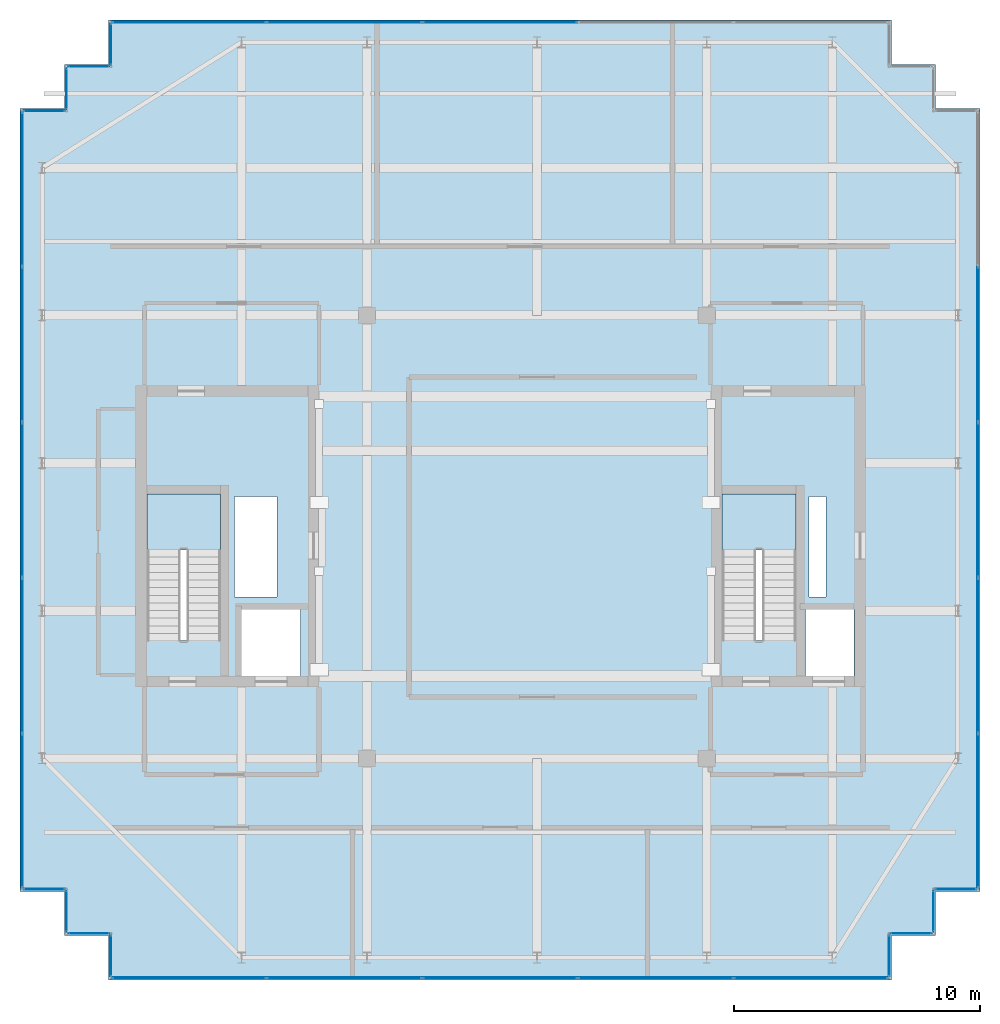
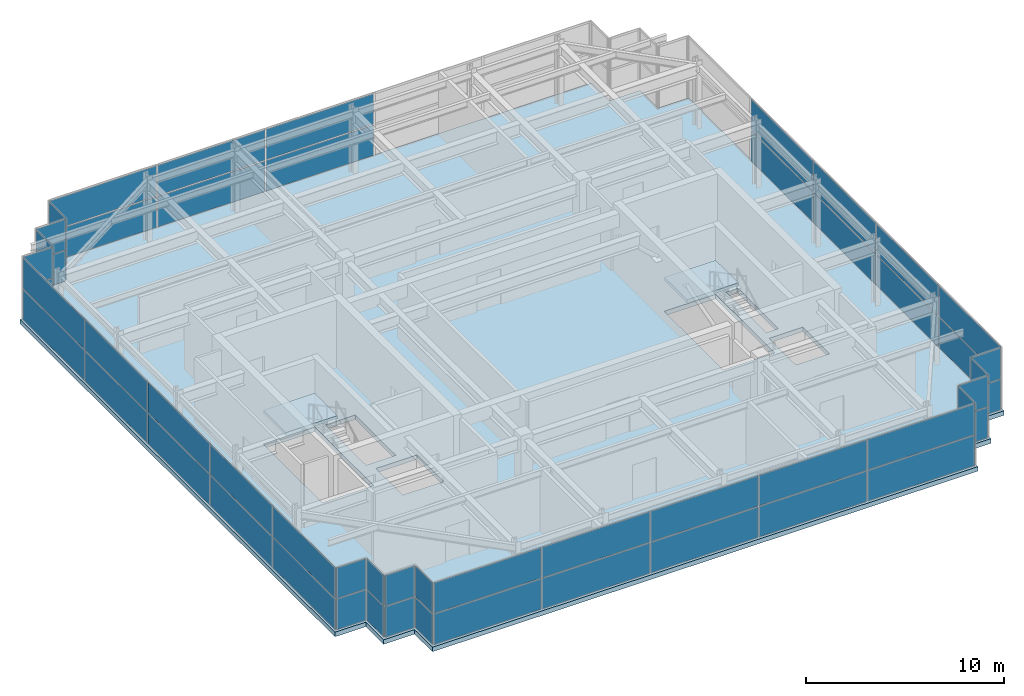
# One storey, part 29 of 32: 58 plates, 3 slabs, 18 elements without a shape of their own.
"""IFC4 building model written with IfcOpenShell, lengths in metres."""

from ifc_helpers import new_model, si_unit, direction, frame, origin, origin_2d, place, context, subcontext, project, spatial, polyline, rectangle, outline, extrude, source, transform, mapped, material, layer, layer_set, type_object, element, aggregate, save


model = new_model("IFC4")

# Units and contexts
model_context = context("Model", 3, precision=1e-05, world=origin(), true_north=direction((0.0, 1.0)))
body_context = subcontext(model_context, "Body", "Model", "MODEL_VIEW")
ifc_project = project(units=[si_unit("LENGTHUNIT", "METRE"), si_unit("AREAUNIT", "SQUARE_METRE"), si_unit("VOLUMEUNIT", "CUBIC_METRE"), si_unit("PLANEANGLEUNIT", "RADIAN"), si_unit("MASSUNIT", "GRAM", prefix="KILO")], contexts=[model_context])

# Site, building, storey
site_placement = place(None, origin())
site = spatial("IfcSite", under=ifc_project, at=site_placement, CompositionType="ELEMENT")
building_placement = place(site_placement, origin())
building = spatial("IfcBuilding", under=site, at=building_placement, Name="Khoralis Quay Care Tower", CompositionType="ELEMENT")
storey_placement = place(building_placement, frame((0.0, 0.0, 306.300048828125)))
storey = spatial("IfcBuildingStorey", under=building, at=storey_placement, Name="L80", CompositionType="ELEMENT", Elevation=306.300048828125)

# Stair, slab
ifc_material_1 = material(Name="Precast concrete C45/55", Category="concrete")
stair_type = type_object("IfcStairType", Name="ST-TWR-DOGLEG-1400", PredefinedType="HALF_TURN_STAIR", material=ifc_material_1)
stair_1_placement = place(storey_placement, origin())
stair_1 = element("IfcStair", 1, at=stair_1_placement, inside=storey, type_object=stair_type, Name="L80 West Core Exit Stair ST-T1", PredefinedType="HALF_TURN_STAIR")
ifc_layer_1 = layer(ifc_material_1, 0.199951171875)
ifc_layer_set_1 = layer_set([ifc_layer_1], Name="Precast concrete C45/55")
slab_type_1 = type_object("IfcSlabType", Name="SLB-LANDING-200", PredefinedType="LANDING", material=ifc_layer_set_1)
slab_1_placement = place(storey_placement, frame((0.0, 0.0, 1.89990234375)))
slab_1 = element("IfcSlab", 2, at=slab_1_placement, type_object=slab_type_1, Name="ST-T1 landing 1", PredefinedType="LANDING", context=body_context, shape_type="SweptSolid", body=[
    extrude(outline(polyline([(11.14990234375, 20.4599609375), (11.14990234375, 22.75), (8.14990234375, 22.75), (8.14990234375, 20.4599609375), (11.14990234375, 20.4599609375)])), origin(), (0.0, 0.0, 1.0), 0.199951171875),
])
aggregate(stair_1, [slab_1])

stair_2_placement = place(storey_placement, origin())
stair_2 = element("IfcStair", 3, at=stair_2_placement, inside=storey, type_object=stair_type, Name="L80 East Core Exit Stair ST-T2", PredefinedType="HALF_TURN_STAIR")
slab_2_placement = place(storey_placement, frame((0.0, 0.0, 1.89990234375)))
slab_2 = element("IfcSlab", 4, at=slab_2_placement, type_object=slab_type_1, Name="ST-T2 landing 1", PredefinedType="LANDING", context=body_context, shape_type="SweptSolid", body=[
    extrude(outline(polyline([(34.52001953125, 20.4599609375), (34.52001953125, 22.75), (31.52001953125, 22.75), (31.52001953125, 20.4599609375), (34.52001953125, 20.4599609375)])), origin(), (0.0, 0.0, 1.0), 0.199951171875),
])
aggregate(stair_2, [slab_2])

# Slab
ifc_material_2 = material(Name="Concrete C40/50", Category="concrete")
ifc_layer_2 = layer(ifc_material_2, 0.280029296875)
ifc_layer_set_2 = layer_set([ifc_layer_2], Name="Concrete C40/50")
slab_type_2 = type_object("IfcSlabType", Name="SLB-TWR-280", PredefinedType="FLOOR", material=ifc_layer_set_2)
slab_3_placement = place(storey_placement, frame((0.0, 0.0, -0.280029296875)))
element("IfcSlab", 5, at=slab_3_placement, inside=storey, type_object=slab_type_2, Name="Tower Floor Slab L80", PredefinedType="FLOOR", context=body_context, shape_type="SweptSolid", body=[
    extrude(outline(polyline([(6.60009765625, 3.0), (38.39990234375, 3.0), (38.39990234375, 4.800048828125), (40.199951171875, 4.800048828125), (40.199951171875, 6.60009765625), (42.0, 6.60009765625), (42.0, 38.39990234375), (40.199951171875, 38.39990234375), (40.199951171875, 40.199951171875), (38.39990234375, 40.199951171875), (38.39990234375, 42.0), (6.60009765625, 42.0), (6.60009765625, 40.199951171875), (4.800048828125, 40.199951171875), (4.800048828125, 38.39990234375), (3.0, 38.39990234375), (3.0, 6.60009765625), (4.800048828125, 6.60009765625), (4.800048828125, 4.800048828125), (6.60009765625, 4.800048828125), (6.60009765625, 3.0)]), holes=[polyline([(11.14990234375, 16.800048828125), (11.14990234375, 22.75), (8.14990234375, 22.75), (8.14990234375, 16.800048828125), (11.14990234375, 16.800048828125)]), polyline([(34.52001953125, 16.800048828125), (34.52001953125, 22.75), (31.52001953125, 22.75), (31.52001953125, 16.800048828125), (34.52001953125, 16.800048828125)]), polyline([(12.0, 15.35009765625), (14.39990234375, 15.35009765625), (14.39990234375, 18.050048828125), (12.0, 18.050048828125), (12.0, 15.35009765625)]), polyline([(34.919921875, 15.35009765625), (36.8798828125, 15.35009765625), (36.8798828125, 18.050048828125), (34.919921875, 18.050048828125), (34.919921875, 15.35009765625)]), polyline([(11.719970703125, 18.550048828125), (13.449951171875, 18.550048828125), (13.449951171875, 22.64990234375), (11.719970703125, 22.64990234375), (11.719970703125, 18.550048828125)]), polyline([(35.050048828125, 18.550048828125), (35.75, 18.550048828125), (35.75, 22.64990234375), (35.050048828125, 22.64990234375), (35.050048828125, 18.550048828125)])]), origin(), (0.0, 0.0, 1.0), 0.280029296875),
])

# Curtain wall, plates
ifc_material_3 = material(Name="Pale anodised aluminium", Category="aluminium")
ifc_layer_3 = layer(ifc_material_3, 0.199951171875)
ifc_layer_set_3 = layer_set([ifc_layer_3], Name="Pale anodised aluminium")
curtain_wall_type = type_object("IfcCurtainWallType", Name="CW-SYS-LANTERN", PredefinedType="NOTDEFINED", material=ifc_layer_set_3)
curtain_wall_1_placement = place(storey_placement, origin())
curtain_wall_1 = element("IfcCurtainWall", 6, at=curtain_wall_1_placement, inside=storey, type_object=curtain_wall_type, Name="L80 Unitised Curtain Wall CW-LN-L80-01", PredefinedType="NOTDEFINED")
ifc_material_4 = material(Name="Spandrel insulated shadow-box glass", Category="glass")
ifc_layer_4 = layer(ifc_material_4, 0.0439453125)
ifc_layer_set_4 = layer_set([ifc_layer_4], Name="Spandrel insulated shadow-box glass")
plate_type = type_object("IfcPlateType", Name="PNL-SPN-44", PredefinedType="CURTAIN_PANEL", material=ifc_layer_set_4)
shared_shape_1 = source(origin(), body_context, "Body", "SweptSolid", [
    extrude(rectangle(XDim=6.23388671875, YDim=0.028076171875, at=origin_2d()), origin(), (0.0, 0.0, 1.0), 1.8701171875),
])
plate_1_placement = place(storey_placement, frame((9.866943359375, 3.090087890625, 0.059814453125), z_axis=(0.0, 0.0, 1.0), x_axis=(1.0, 0.0, 0.0)))
plate_1 = element("IfcPlate", 7, at=plate_1_placement, type_object=plate_type, Name="CW5 panel 1.1", PredefinedType="CURTAIN_PANEL", context=body_context, shape_type="MappedRepresentation", body=[
    mapped(shared_shape_1, transform((0.0, 0.0, 0.0), scale=1.0)),
])
plate_2_placement = place(storey_placement, frame((9.866943359375, 3.090087890625, 1.989990234375), z_axis=(0.0, 0.0, 1.0), x_axis=(1.0, 0.0, 0.0)))
plate_2 = element("IfcPlate", 8, at=plate_2_placement, type_object=plate_type, Name="CW5 panel 1.2", PredefinedType="CURTAIN_PANEL", context=body_context, shape_type="MappedRepresentation", body=[
    mapped(shared_shape_1, transform((0.0, 0.0, 0.0), scale=1.0)),
])
plate_3_placement = place(storey_placement, frame((35.133056640625, 3.090087890625, 0.059814453125), z_axis=(0.0, 0.0, 1.0), x_axis=(1.0, 0.0, 0.0)))
plate_3 = element("IfcPlate", 9, at=plate_3_placement, type_object=plate_type, Name="CW5 panel 5.1", PredefinedType="CURTAIN_PANEL", context=body_context, shape_type="MappedRepresentation", body=[
    mapped(shared_shape_1, transform((0.0, 0.0, 0.0), scale=1.0)),
])
plate_4_placement = place(storey_placement, frame((35.133056640625, 3.090087890625, 1.989990234375), z_axis=(0.0, 0.0, 1.0), x_axis=(1.0, 0.0, 0.0)))
plate_4 = element("IfcPlate", 10, at=plate_4_placement, type_object=plate_type, Name="CW5 panel 5.2", PredefinedType="CURTAIN_PANEL", context=body_context, shape_type="MappedRepresentation", body=[
    mapped(shared_shape_1, transform((0.0, 0.0, 0.0), scale=1.0)),
])

curtain_wall_2_placement = place(storey_placement, origin())
curtain_wall_2 = element("IfcCurtainWall", 11, at=curtain_wall_2_placement, inside=storey, type_object=curtain_wall_type, Name="L80 Unitised Curtain Wall CW-LN-L80-06", PredefinedType="NOTDEFINED")
plate_5_placement = place(storey_placement, frame((41.909912109375, 9.866943359375, 0.059814453125), z_axis=(0.0, 0.0, 1.0), x_axis=(0.0, 1.0, 0.0)))
plate_5 = element("IfcPlate", 12, at=plate_5_placement, type_object=plate_type, Name="CW5 panel 1.1", PredefinedType="CURTAIN_PANEL", context=body_context, shape_type="MappedRepresentation", body=[
    mapped(shared_shape_1, transform((0.0, 0.0, 0.0), scale=1.0)),
])
plate_6_placement = place(storey_placement, frame((41.909912109375, 9.866943359375, 1.989990234375), z_axis=(0.0, 0.0, 1.0), x_axis=(0.0, 1.0, 0.0)))
plate_6 = element("IfcPlate", 13, at=plate_6_placement, type_object=plate_type, Name="CW5 panel 1.2", PredefinedType="CURTAIN_PANEL", context=body_context, shape_type="MappedRepresentation", body=[
    mapped(shared_shape_1, transform((0.0, 0.0, 0.0), scale=1.0)),
])

curtain_wall_3_placement = place(storey_placement, origin())
curtain_wall_3 = element("IfcCurtainWall", 14, at=curtain_wall_3_placement, inside=storey, type_object=curtain_wall_type, Name="L80 Unitised Curtain Wall CW-LN-L80-11", PredefinedType="NOTDEFINED")
plate_7_placement = place(storey_placement, frame((9.866943359375, 41.909912109375, 0.059814453125), z_axis=(0.0, 0.0, 1.0), x_axis=(-1.0, 0.0, 0.0)))
plate_7 = element("IfcPlate", 15, at=plate_7_placement, type_object=plate_type, Name="CW5 panel 5.1", PredefinedType="CURTAIN_PANEL", context=body_context, shape_type="MappedRepresentation", body=[
    mapped(shared_shape_1, transform((0.0, 0.0, 0.0), scale=1.0)),
])
plate_8_placement = place(storey_placement, frame((9.866943359375, 41.909912109375, 1.989990234375), z_axis=(0.0, 0.0, 1.0), x_axis=(-1.0, 0.0, 0.0)))
plate_8 = element("IfcPlate", 16, at=plate_8_placement, type_object=plate_type, Name="CW5 panel 5.2", PredefinedType="CURTAIN_PANEL", context=body_context, shape_type="MappedRepresentation", body=[
    mapped(shared_shape_1, transform((0.0, 0.0, 0.0), scale=1.0)),
])

curtain_wall_4_placement = place(storey_placement, origin())
curtain_wall_4 = element("IfcCurtainWall", 17, at=curtain_wall_4_placement, inside=storey, type_object=curtain_wall_type, Name="L80 Unitised Curtain Wall CW-LN-L80-16", PredefinedType="NOTDEFINED")
plate_9_placement = place(storey_placement, frame((3.090087890625, 35.133056640625, 0.059814453125), z_axis=(0.0, 0.0, 1.0), x_axis=(0.0, -1.0, 0.0)))
plate_9 = element("IfcPlate", 18, at=plate_9_placement, type_object=plate_type, Name="CW5 panel 1.1", PredefinedType="CURTAIN_PANEL", context=body_context, shape_type="MappedRepresentation", body=[
    mapped(shared_shape_1, transform((0.0, 0.0, 0.0), scale=1.0)),
])
plate_10_placement = place(storey_placement, frame((3.090087890625, 35.133056640625, 1.989990234375), z_axis=(0.0, 0.0, 1.0), x_axis=(0.0, -1.0, 0.0)))
plate_10 = element("IfcPlate", 19, at=plate_10_placement, type_object=plate_type, Name="CW5 panel 1.2", PredefinedType="CURTAIN_PANEL", context=body_context, shape_type="MappedRepresentation", body=[
    mapped(shared_shape_1, transform((0.0, 0.0, 0.0), scale=1.0)),
])
plate_11_placement = place(storey_placement, frame((3.090087890625, 9.866943359375, 0.059814453125), z_axis=(0.0, 0.0, 1.0), x_axis=(0.0, -1.0, 0.0)))
plate_11 = element("IfcPlate", 20, at=plate_11_placement, type_object=plate_type, Name="CW5 panel 5.1", PredefinedType="CURTAIN_PANEL", context=body_context, shape_type="MappedRepresentation", body=[
    mapped(shared_shape_1, transform((0.0, 0.0, 0.0), scale=1.0)),
])
plate_12_placement = place(storey_placement, frame((3.090087890625, 9.866943359375, 1.989990234375), z_axis=(0.0, 0.0, 1.0), x_axis=(0.0, -1.0, 0.0)))
plate_12 = element("IfcPlate", 21, at=plate_12_placement, type_object=plate_type, Name="CW5 panel 5.2", PredefinedType="CURTAIN_PANEL", context=body_context, shape_type="MappedRepresentation", body=[
    mapped(shared_shape_1, transform((0.0, 0.0, 0.0), scale=1.0)),
])

# Plate
shared_shape_2 = source(origin(), body_context, "Body", "SweptSolid", [
    extrude(rectangle(XDim=6.263916015625, YDim=0.028076171875, at=origin_2d()), origin(), (0.0, 0.0, 1.0), 1.8701171875),
])
plate_13_placement = place(storey_placement, frame((16.176025390625, 3.090087890625, 0.059814453125), z_axis=(0.0, 0.0, 1.0), x_axis=(1.0, 0.0, 0.0)))
plate_13 = element("IfcPlate", 22, at=plate_13_placement, type_object=plate_type, Name="CW5 panel 2.1", PredefinedType="CURTAIN_PANEL", context=body_context, shape_type="MappedRepresentation", body=[
    mapped(shared_shape_2, transform((0.0, 0.0, 0.0), scale=1.0)),
])

plate_14_placement = place(storey_placement, frame((16.176025390625, 3.090087890625, 1.989990234375), z_axis=(0.0, 0.0, 1.0), x_axis=(1.0, 0.0, 0.0)))
plate_14 = element("IfcPlate", 23, at=plate_14_placement, type_object=plate_type, Name="CW5 panel 2.2", PredefinedType="CURTAIN_PANEL", context=body_context, shape_type="MappedRepresentation", body=[
    mapped(shared_shape_2, transform((0.0, 0.0, 0.0), scale=1.0)),
])

plate_15_placement = place(storey_placement, frame((22.5, 3.090087890625, 0.059814453125), z_axis=(0.0, 0.0, 1.0), x_axis=(1.0, 0.0, 0.0)))
plate_15 = element("IfcPlate", 24, at=plate_15_placement, type_object=plate_type, Name="CW5 panel 3.1", PredefinedType="CURTAIN_PANEL", context=body_context, shape_type="MappedRepresentation", body=[
    mapped(shared_shape_2, transform((0.0, 0.0, 0.0), scale=1.0)),
])

plate_16_placement = place(storey_placement, frame((22.5, 3.090087890625, 1.989990234375), z_axis=(0.0, 0.0, 1.0), x_axis=(1.0, 0.0, 0.0)))
plate_16 = element("IfcPlate", 25, at=plate_16_placement, type_object=plate_type, Name="CW5 panel 3.2", PredefinedType="CURTAIN_PANEL", context=body_context, shape_type="MappedRepresentation", body=[
    mapped(shared_shape_2, transform((0.0, 0.0, 0.0), scale=1.0)),
])

plate_17_placement = place(storey_placement, frame((28.823974609375, 3.090087890625, 0.059814453125), z_axis=(0.0, 0.0, 1.0), x_axis=(1.0, 0.0, 0.0)))
plate_17 = element("IfcPlate", 26, at=plate_17_placement, type_object=plate_type, Name="CW5 panel 4.1", PredefinedType="CURTAIN_PANEL", context=body_context, shape_type="MappedRepresentation", body=[
    mapped(shared_shape_2, transform((0.0, 0.0, 0.0), scale=1.0)),
])

plate_18_placement = place(storey_placement, frame((28.823974609375, 3.090087890625, 1.989990234375), z_axis=(0.0, 0.0, 1.0), x_axis=(1.0, 0.0, 0.0)))
plate_18 = element("IfcPlate", 27, at=plate_18_placement, type_object=plate_type, Name="CW5 panel 4.2", PredefinedType="CURTAIN_PANEL", context=body_context, shape_type="MappedRepresentation", body=[
    mapped(shared_shape_2, transform((0.0, 0.0, 0.0), scale=1.0)),
])

aggregate(curtain_wall_1, [plate_1, plate_2, plate_13, plate_14, plate_15, plate_16, plate_17, plate_18, plate_3, plate_4])

plate_19_placement = place(storey_placement, frame((41.909912109375, 16.176025390625, 0.059814453125), z_axis=(0.0, 0.0, 1.0), x_axis=(0.0, 1.0, 0.0)))
plate_19 = element("IfcPlate", 28, at=plate_19_placement, type_object=plate_type, Name="CW5 panel 2.1", PredefinedType="CURTAIN_PANEL", context=body_context, shape_type="MappedRepresentation", body=[
    mapped(shared_shape_2, transform((0.0, 0.0, 0.0), scale=1.0)),
])

plate_20_placement = place(storey_placement, frame((41.909912109375, 16.176025390625, 1.989990234375), z_axis=(0.0, 0.0, 1.0), x_axis=(0.0, 1.0, 0.0)))
plate_20 = element("IfcPlate", 29, at=plate_20_placement, type_object=plate_type, Name="CW5 panel 2.2", PredefinedType="CURTAIN_PANEL", context=body_context, shape_type="MappedRepresentation", body=[
    mapped(shared_shape_2, transform((0.0, 0.0, 0.0), scale=1.0)),
])

plate_21_placement = place(storey_placement, frame((41.909912109375, 22.5, 0.059814453125), z_axis=(0.0, 0.0, 1.0), x_axis=(0.0, 1.0, 0.0)))
plate_21 = element("IfcPlate", 30, at=plate_21_placement, type_object=plate_type, Name="CW5 panel 3.1", PredefinedType="CURTAIN_PANEL", context=body_context, shape_type="MappedRepresentation", body=[
    mapped(shared_shape_2, transform((0.0, 0.0, 0.0), scale=1.0)),
])

plate_22_placement = place(storey_placement, frame((41.909912109375, 22.5, 1.989990234375), z_axis=(0.0, 0.0, 1.0), x_axis=(0.0, 1.0, 0.0)))
plate_22 = element("IfcPlate", 31, at=plate_22_placement, type_object=plate_type, Name="CW5 panel 3.2", PredefinedType="CURTAIN_PANEL", context=body_context, shape_type="MappedRepresentation", body=[
    mapped(shared_shape_2, transform((0.0, 0.0, 0.0), scale=1.0)),
])

plate_23_placement = place(storey_placement, frame((41.909912109375, 28.823974609375, 0.059814453125), z_axis=(0.0, 0.0, 1.0), x_axis=(0.0, 1.0, 0.0)))
plate_23 = element("IfcPlate", 32, at=plate_23_placement, type_object=plate_type, Name="CW5 panel 4.1", PredefinedType="CURTAIN_PANEL", context=body_context, shape_type="MappedRepresentation", body=[
    mapped(shared_shape_2, transform((0.0, 0.0, 0.0), scale=1.0)),
])

plate_24_placement = place(storey_placement, frame((41.909912109375, 28.823974609375, 1.989990234375), z_axis=(0.0, 0.0, 1.0), x_axis=(0.0, 1.0, 0.0)))
plate_24 = element("IfcPlate", 33, at=plate_24_placement, type_object=plate_type, Name="CW5 panel 4.2", PredefinedType="CURTAIN_PANEL", context=body_context, shape_type="MappedRepresentation", body=[
    mapped(shared_shape_2, transform((0.0, 0.0, 0.0), scale=1.0)),
])

aggregate(curtain_wall_2, [plate_5, plate_6, plate_19, plate_20, plate_21, plate_22, plate_23, plate_24])

plate_25_placement = place(storey_placement, frame((22.5, 41.909912109375, 0.059814453125), z_axis=(0.0, 0.0, 1.0), x_axis=(-1.0, 0.0, 0.0)))
plate_25 = element("IfcPlate", 34, at=plate_25_placement, type_object=plate_type, Name="CW5 panel 3.1", PredefinedType="CURTAIN_PANEL", context=body_context, shape_type="MappedRepresentation", body=[
    mapped(shared_shape_2, transform((0.0, 0.0, 0.0), scale=1.0)),
])

plate_26_placement = place(storey_placement, frame((22.5, 41.909912109375, 1.989990234375), z_axis=(0.0, 0.0, 1.0), x_axis=(-1.0, 0.0, 0.0)))
plate_26 = element("IfcPlate", 35, at=plate_26_placement, type_object=plate_type, Name="CW5 panel 3.2", PredefinedType="CURTAIN_PANEL", context=body_context, shape_type="MappedRepresentation", body=[
    mapped(shared_shape_2, transform((0.0, 0.0, 0.0), scale=1.0)),
])

plate_27_placement = place(storey_placement, frame((16.176025390625, 41.909912109375, 0.059814453125), z_axis=(0.0, 0.0, 1.0), x_axis=(-1.0, 0.0, 0.0)))
plate_27 = element("IfcPlate", 36, at=plate_27_placement, type_object=plate_type, Name="CW5 panel 4.1", PredefinedType="CURTAIN_PANEL", context=body_context, shape_type="MappedRepresentation", body=[
    mapped(shared_shape_2, transform((0.0, 0.0, 0.0), scale=1.0)),
])

plate_28_placement = place(storey_placement, frame((16.176025390625, 41.909912109375, 1.989990234375), z_axis=(0.0, 0.0, 1.0), x_axis=(-1.0, 0.0, 0.0)))
plate_28 = element("IfcPlate", 37, at=plate_28_placement, type_object=plate_type, Name="CW5 panel 4.2", PredefinedType="CURTAIN_PANEL", context=body_context, shape_type="MappedRepresentation", body=[
    mapped(shared_shape_2, transform((0.0, 0.0, 0.0), scale=1.0)),
])

aggregate(curtain_wall_3, [plate_25, plate_26, plate_27, plate_28, plate_7, plate_8])

plate_29_placement = place(storey_placement, frame((3.090087890625, 28.823974609375, 0.059814453125), z_axis=(0.0, 0.0, 1.0), x_axis=(0.0, -1.0, 0.0)))
plate_29 = element("IfcPlate", 38, at=plate_29_placement, type_object=plate_type, Name="CW5 panel 2.1", PredefinedType="CURTAIN_PANEL", context=body_context, shape_type="MappedRepresentation", body=[
    mapped(shared_shape_2, transform((0.0, 0.0, 0.0), scale=1.0)),
])

plate_30_placement = place(storey_placement, frame((3.090087890625, 28.823974609375, 1.989990234375), z_axis=(0.0, 0.0, 1.0), x_axis=(0.0, -1.0, 0.0)))
plate_30 = element("IfcPlate", 39, at=plate_30_placement, type_object=plate_type, Name="CW5 panel 2.2", PredefinedType="CURTAIN_PANEL", context=body_context, shape_type="MappedRepresentation", body=[
    mapped(shared_shape_2, transform((0.0, 0.0, 0.0), scale=1.0)),
])

plate_31_placement = place(storey_placement, frame((3.090087890625, 22.5, 0.059814453125), z_axis=(0.0, 0.0, 1.0), x_axis=(0.0, -1.0, 0.0)))
plate_31 = element("IfcPlate", 40, at=plate_31_placement, type_object=plate_type, Name="CW5 panel 3.1", PredefinedType="CURTAIN_PANEL", context=body_context, shape_type="MappedRepresentation", body=[
    mapped(shared_shape_2, transform((0.0, 0.0, 0.0), scale=1.0)),
])

plate_32_placement = place(storey_placement, frame((3.090087890625, 22.5, 1.989990234375), z_axis=(0.0, 0.0, 1.0), x_axis=(0.0, -1.0, 0.0)))
plate_32 = element("IfcPlate", 41, at=plate_32_placement, type_object=plate_type, Name="CW5 panel 3.2", PredefinedType="CURTAIN_PANEL", context=body_context, shape_type="MappedRepresentation", body=[
    mapped(shared_shape_2, transform((0.0, 0.0, 0.0), scale=1.0)),
])

plate_33_placement = place(storey_placement, frame((3.090087890625, 16.176025390625, 0.059814453125), z_axis=(0.0, 0.0, 1.0), x_axis=(0.0, -1.0, 0.0)))
plate_33 = element("IfcPlate", 42, at=plate_33_placement, type_object=plate_type, Name="CW5 panel 4.1", PredefinedType="CURTAIN_PANEL", context=body_context, shape_type="MappedRepresentation", body=[
    mapped(shared_shape_2, transform((0.0, 0.0, 0.0), scale=1.0)),
])

plate_34_placement = place(storey_placement, frame((3.090087890625, 16.176025390625, 1.989990234375), z_axis=(0.0, 0.0, 1.0), x_axis=(0.0, -1.0, 0.0)))
plate_34 = element("IfcPlate", 43, at=plate_34_placement, type_object=plate_type, Name="CW5 panel 4.2", PredefinedType="CURTAIN_PANEL", context=body_context, shape_type="MappedRepresentation", body=[
    mapped(shared_shape_2, transform((0.0, 0.0, 0.0), scale=1.0)),
])

aggregate(curtain_wall_4, [plate_9, plate_10, plate_29, plate_30, plate_31, plate_32, plate_33, plate_34, plate_11, plate_12])

# Curtain wall, plates
curtain_wall_5_placement = place(storey_placement, origin())
curtain_wall_5 = element("IfcCurtainWall", 44, at=curtain_wall_5_placement, inside=storey, type_object=curtain_wall_type, Name="L80 Unitised Curtain Wall CW-LN-L80-02", PredefinedType="NOTDEFINED")
shared_shape_3 = source(origin(), body_context, "Body", "SweptSolid", [
    extrude(rectangle(XDim=1.679931640625, YDim=0.028076171875, at=origin_2d()), origin(), (0.0, 0.0, 1.0), 1.8701171875),
])
plate_35_placement = place(storey_placement, frame((38.31005859375, 3.989990234375, 0.059814453125), z_axis=(0.0, 0.0, 1.0), x_axis=(0.0, 1.0, 0.0)))
plate_35 = element("IfcPlate", 45, at=plate_35_placement, type_object=plate_type, Name="CW5 panel 1.1", PredefinedType="CURTAIN_PANEL", context=body_context, shape_type="MappedRepresentation", body=[
    mapped(shared_shape_3, transform((0.0, 0.0, 0.0), scale=1.0)),
])
plate_36_placement = place(storey_placement, frame((38.31005859375, 3.989990234375, 1.989990234375), z_axis=(0.0, 0.0, 1.0), x_axis=(0.0, 1.0, 0.0)))
plate_36 = element("IfcPlate", 46, at=plate_36_placement, type_object=plate_type, Name="CW5 panel 1.2", PredefinedType="CURTAIN_PANEL", context=body_context, shape_type="MappedRepresentation", body=[
    mapped(shared_shape_3, transform((0.0, 0.0, 0.0), scale=1.0)),
])
aggregate(curtain_wall_5, [plate_35, plate_36])

curtain_wall_6_placement = place(storey_placement, origin())
curtain_wall_6 = element("IfcCurtainWall", 47, at=curtain_wall_6_placement, inside=storey, type_object=curtain_wall_type, Name="L80 Unitised Curtain Wall CW-LN-L80-03", PredefinedType="NOTDEFINED")
plate_37_placement = place(storey_placement, frame((39.2099609375, 4.889892578125, 0.059814453125), z_axis=(0.0, 0.0, 1.0), x_axis=(1.0, 0.0, 0.0)))
plate_37 = element("IfcPlate", 48, at=plate_37_placement, type_object=plate_type, Name="CW5 panel 1.1", PredefinedType="CURTAIN_PANEL", context=body_context, shape_type="MappedRepresentation", body=[
    mapped(shared_shape_3, transform((0.0, 0.0, 0.0), scale=1.0)),
])
plate_38_placement = place(storey_placement, frame((39.2099609375, 4.889892578125, 1.989990234375), z_axis=(0.0, 0.0, 1.0), x_axis=(1.0, 0.0, 0.0)))
plate_38 = element("IfcPlate", 49, at=plate_38_placement, type_object=plate_type, Name="CW5 panel 1.2", PredefinedType="CURTAIN_PANEL", context=body_context, shape_type="MappedRepresentation", body=[
    mapped(shared_shape_3, transform((0.0, 0.0, 0.0), scale=1.0)),
])
aggregate(curtain_wall_6, [plate_37, plate_38])

curtain_wall_7_placement = place(storey_placement, origin())
curtain_wall_7 = element("IfcCurtainWall", 50, at=curtain_wall_7_placement, inside=storey, type_object=curtain_wall_type, Name="L80 Unitised Curtain Wall CW-LN-L80-04", PredefinedType="NOTDEFINED")
plate_39_placement = place(storey_placement, frame((40.110107421875, 5.7900390625, 0.059814453125), z_axis=(0.0, 0.0, 1.0), x_axis=(0.0, 1.0, 0.0)))
plate_39 = element("IfcPlate", 51, at=plate_39_placement, type_object=plate_type, Name="CW5 panel 1.1", PredefinedType="CURTAIN_PANEL", context=body_context, shape_type="MappedRepresentation", body=[
    mapped(shared_shape_3, transform((0.0, 0.0, 0.0), scale=1.0)),
])
plate_40_placement = place(storey_placement, frame((40.110107421875, 5.7900390625, 1.989990234375), z_axis=(0.0, 0.0, 1.0), x_axis=(0.0, 1.0, 0.0)))
plate_40 = element("IfcPlate", 52, at=plate_40_placement, type_object=plate_type, Name="CW5 panel 1.2", PredefinedType="CURTAIN_PANEL", context=body_context, shape_type="MappedRepresentation", body=[
    mapped(shared_shape_3, transform((0.0, 0.0, 0.0), scale=1.0)),
])
aggregate(curtain_wall_7, [plate_39, plate_40])

curtain_wall_8_placement = place(storey_placement, origin())
curtain_wall_8 = element("IfcCurtainWall", 53, at=curtain_wall_8_placement, inside=storey, type_object=curtain_wall_type, Name="L80 Unitised Curtain Wall CW-LN-L80-05", PredefinedType="NOTDEFINED")
plate_41_placement = place(storey_placement, frame((41.010009765625, 6.68994140625, 0.059814453125), z_axis=(0.0, 0.0, 1.0), x_axis=(1.0, 0.0, 0.0)))
plate_41 = element("IfcPlate", 54, at=plate_41_placement, type_object=plate_type, Name="CW5 panel 1.1", PredefinedType="CURTAIN_PANEL", context=body_context, shape_type="MappedRepresentation", body=[
    mapped(shared_shape_3, transform((0.0, 0.0, 0.0), scale=1.0)),
])
plate_42_placement = place(storey_placement, frame((41.010009765625, 6.68994140625, 1.989990234375), z_axis=(0.0, 0.0, 1.0), x_axis=(1.0, 0.0, 0.0)))
plate_42 = element("IfcPlate", 55, at=plate_42_placement, type_object=plate_type, Name="CW5 panel 1.2", PredefinedType="CURTAIN_PANEL", context=body_context, shape_type="MappedRepresentation", body=[
    mapped(shared_shape_3, transform((0.0, 0.0, 0.0), scale=1.0)),
])
aggregate(curtain_wall_8, [plate_41, plate_42])

curtain_wall_9_placement = place(storey_placement, origin())
curtain_wall_9 = element("IfcCurtainWall", 56, at=curtain_wall_9_placement, inside=storey, type_object=curtain_wall_type, Name="L80 Unitised Curtain Wall CW-LN-L80-12", PredefinedType="NOTDEFINED")
plate_43_placement = place(storey_placement, frame((6.68994140625, 41.010009765625, 0.059814453125), z_axis=(0.0, 0.0, 1.0), x_axis=(0.0, -1.0, 0.0)))
plate_43 = element("IfcPlate", 57, at=plate_43_placement, type_object=plate_type, Name="CW5 panel 1.1", PredefinedType="CURTAIN_PANEL", context=body_context, shape_type="MappedRepresentation", body=[
    mapped(shared_shape_3, transform((0.0, 0.0, 0.0), scale=1.0)),
])
plate_44_placement = place(storey_placement, frame((6.68994140625, 41.010009765625, 1.989990234375), z_axis=(0.0, 0.0, 1.0), x_axis=(0.0, -1.0, 0.0)))
plate_44 = element("IfcPlate", 58, at=plate_44_placement, type_object=plate_type, Name="CW5 panel 1.2", PredefinedType="CURTAIN_PANEL", context=body_context, shape_type="MappedRepresentation", body=[
    mapped(shared_shape_3, transform((0.0, 0.0, 0.0), scale=1.0)),
])
aggregate(curtain_wall_9, [plate_43, plate_44])

curtain_wall_10_placement = place(storey_placement, origin())
curtain_wall_10 = element("IfcCurtainWall", 59, at=curtain_wall_10_placement, inside=storey, type_object=curtain_wall_type, Name="L80 Unitised Curtain Wall CW-LN-L80-13", PredefinedType="NOTDEFINED")
plate_45_placement = place(storey_placement, frame((5.7900390625, 40.110107421875, 0.059814453125), z_axis=(0.0, 0.0, 1.0), x_axis=(-1.0, 0.0, 0.0)))
plate_45 = element("IfcPlate", 60, at=plate_45_placement, type_object=plate_type, Name="CW5 panel 1.1", PredefinedType="CURTAIN_PANEL", context=body_context, shape_type="MappedRepresentation", body=[
    mapped(shared_shape_3, transform((0.0, 0.0, 0.0), scale=1.0)),
])
plate_46_placement = place(storey_placement, frame((5.7900390625, 40.110107421875, 1.989990234375), z_axis=(0.0, 0.0, 1.0), x_axis=(-1.0, 0.0, 0.0)))
plate_46 = element("IfcPlate", 61, at=plate_46_placement, type_object=plate_type, Name="CW5 panel 1.2", PredefinedType="CURTAIN_PANEL", context=body_context, shape_type="MappedRepresentation", body=[
    mapped(shared_shape_3, transform((0.0, 0.0, 0.0), scale=1.0)),
])
aggregate(curtain_wall_10, [plate_45, plate_46])

curtain_wall_11_placement = place(storey_placement, origin())
curtain_wall_11 = element("IfcCurtainWall", 62, at=curtain_wall_11_placement, inside=storey, type_object=curtain_wall_type, Name="L80 Unitised Curtain Wall CW-LN-L80-14", PredefinedType="NOTDEFINED")
plate_47_placement = place(storey_placement, frame((4.889892578125, 39.2099609375, 0.059814453125), z_axis=(0.0, 0.0, 1.0), x_axis=(0.0, -1.0, 0.0)))
plate_47 = element("IfcPlate", 63, at=plate_47_placement, type_object=plate_type, Name="CW5 panel 1.1", PredefinedType="CURTAIN_PANEL", context=body_context, shape_type="MappedRepresentation", body=[
    mapped(shared_shape_3, transform((0.0, 0.0, 0.0), scale=1.0)),
])
plate_48_placement = place(storey_placement, frame((4.889892578125, 39.2099609375, 1.989990234375), z_axis=(0.0, 0.0, 1.0), x_axis=(0.0, -1.0, 0.0)))
plate_48 = element("IfcPlate", 64, at=plate_48_placement, type_object=plate_type, Name="CW5 panel 1.2", PredefinedType="CURTAIN_PANEL", context=body_context, shape_type="MappedRepresentation", body=[
    mapped(shared_shape_3, transform((0.0, 0.0, 0.0), scale=1.0)),
])
aggregate(curtain_wall_11, [plate_47, plate_48])

curtain_wall_12_placement = place(storey_placement, origin())
curtain_wall_12 = element("IfcCurtainWall", 65, at=curtain_wall_12_placement, inside=storey, type_object=curtain_wall_type, Name="L80 Unitised Curtain Wall CW-LN-L80-15", PredefinedType="NOTDEFINED")
plate_49_placement = place(storey_placement, frame((3.989990234375, 38.31005859375, 0.059814453125), z_axis=(0.0, 0.0, 1.0), x_axis=(-1.0, 0.0, 0.0)))
plate_49 = element("IfcPlate", 66, at=plate_49_placement, type_object=plate_type, Name="CW5 panel 1.1", PredefinedType="CURTAIN_PANEL", context=body_context, shape_type="MappedRepresentation", body=[
    mapped(shared_shape_3, transform((0.0, 0.0, 0.0), scale=1.0)),
])
plate_50_placement = place(storey_placement, frame((3.989990234375, 38.31005859375, 1.989990234375), z_axis=(0.0, 0.0, 1.0), x_axis=(-1.0, 0.0, 0.0)))
plate_50 = element("IfcPlate", 67, at=plate_50_placement, type_object=plate_type, Name="CW5 panel 1.2", PredefinedType="CURTAIN_PANEL", context=body_context, shape_type="MappedRepresentation", body=[
    mapped(shared_shape_3, transform((0.0, 0.0, 0.0), scale=1.0)),
])
aggregate(curtain_wall_12, [plate_49, plate_50])

curtain_wall_13_placement = place(storey_placement, origin())
curtain_wall_13 = element("IfcCurtainWall", 68, at=curtain_wall_13_placement, inside=storey, type_object=curtain_wall_type, Name="L80 Unitised Curtain Wall CW-LN-L80-17", PredefinedType="NOTDEFINED")
plate_51_placement = place(storey_placement, frame((3.989990234375, 6.68994140625, 0.059814453125), z_axis=(0.0, 0.0, 1.0), x_axis=(1.0, 0.0, 0.0)))
plate_51 = element("IfcPlate", 69, at=plate_51_placement, type_object=plate_type, Name="CW5 panel 1.1", PredefinedType="CURTAIN_PANEL", context=body_context, shape_type="MappedRepresentation", body=[
    mapped(shared_shape_3, transform((0.0, 0.0, 0.0), scale=1.0)),
])
plate_52_placement = place(storey_placement, frame((3.989990234375, 6.68994140625, 1.989990234375), z_axis=(0.0, 0.0, 1.0), x_axis=(1.0, 0.0, 0.0)))
plate_52 = element("IfcPlate", 70, at=plate_52_placement, type_object=plate_type, Name="CW5 panel 1.2", PredefinedType="CURTAIN_PANEL", context=body_context, shape_type="MappedRepresentation", body=[
    mapped(shared_shape_3, transform((0.0, 0.0, 0.0), scale=1.0)),
])
aggregate(curtain_wall_13, [plate_51, plate_52])

curtain_wall_14_placement = place(storey_placement, origin())
curtain_wall_14 = element("IfcCurtainWall", 71, at=curtain_wall_14_placement, inside=storey, type_object=curtain_wall_type, Name="L80 Unitised Curtain Wall CW-LN-L80-18", PredefinedType="NOTDEFINED")
plate_53_placement = place(storey_placement, frame((4.889892578125, 5.7900390625, 0.059814453125), z_axis=(0.0, 0.0, 1.0), x_axis=(0.0, -1.0, 0.0)))
plate_53 = element("IfcPlate", 72, at=plate_53_placement, type_object=plate_type, Name="CW5 panel 1.1", PredefinedType="CURTAIN_PANEL", context=body_context, shape_type="MappedRepresentation", body=[
    mapped(shared_shape_3, transform((0.0, 0.0, 0.0), scale=1.0)),
])
plate_54_placement = place(storey_placement, frame((4.889892578125, 5.7900390625, 1.989990234375), z_axis=(0.0, 0.0, 1.0), x_axis=(0.0, -1.0, 0.0)))
plate_54 = element("IfcPlate", 73, at=plate_54_placement, type_object=plate_type, Name="CW5 panel 1.2", PredefinedType="CURTAIN_PANEL", context=body_context, shape_type="MappedRepresentation", body=[
    mapped(shared_shape_3, transform((0.0, 0.0, 0.0), scale=1.0)),
])
aggregate(curtain_wall_14, [plate_53, plate_54])

curtain_wall_15_placement = place(storey_placement, origin())
curtain_wall_15 = element("IfcCurtainWall", 74, at=curtain_wall_15_placement, inside=storey, type_object=curtain_wall_type, Name="L80 Unitised Curtain Wall CW-LN-L80-19", PredefinedType="NOTDEFINED")
plate_55_placement = place(storey_placement, frame((5.7900390625, 4.889892578125, 0.059814453125), z_axis=(0.0, 0.0, 1.0), x_axis=(1.0, 0.0, 0.0)))
plate_55 = element("IfcPlate", 75, at=plate_55_placement, type_object=plate_type, Name="CW5 panel 1.1", PredefinedType="CURTAIN_PANEL", context=body_context, shape_type="MappedRepresentation", body=[
    mapped(shared_shape_3, transform((0.0, 0.0, 0.0), scale=1.0)),
])
plate_56_placement = place(storey_placement, frame((5.7900390625, 4.889892578125, 1.989990234375), z_axis=(0.0, 0.0, 1.0), x_axis=(1.0, 0.0, 0.0)))
plate_56 = element("IfcPlate", 76, at=plate_56_placement, type_object=plate_type, Name="CW5 panel 1.2", PredefinedType="CURTAIN_PANEL", context=body_context, shape_type="MappedRepresentation", body=[
    mapped(shared_shape_3, transform((0.0, 0.0, 0.0), scale=1.0)),
])
aggregate(curtain_wall_15, [plate_55, plate_56])

curtain_wall_16_placement = place(storey_placement, origin())
curtain_wall_16 = element("IfcCurtainWall", 77, at=curtain_wall_16_placement, inside=storey, type_object=curtain_wall_type, Name="L80 Unitised Curtain Wall CW-LN-L80-20", PredefinedType="NOTDEFINED")
plate_57_placement = place(storey_placement, frame((6.68994140625, 3.989990234375, 0.059814453125), z_axis=(0.0, 0.0, 1.0), x_axis=(0.0, -1.0, 0.0)))
plate_57 = element("IfcPlate", 78, at=plate_57_placement, type_object=plate_type, Name="CW5 panel 1.1", PredefinedType="CURTAIN_PANEL", context=body_context, shape_type="MappedRepresentation", body=[
    mapped(shared_shape_3, transform((0.0, 0.0, 0.0), scale=1.0)),
])
plate_58_placement = place(storey_placement, frame((6.68994140625, 3.989990234375, 1.989990234375), z_axis=(0.0, 0.0, 1.0), x_axis=(0.0, -1.0, 0.0)))
plate_58 = element("IfcPlate", 79, at=plate_58_placement, type_object=plate_type, Name="CW5 panel 1.2", PredefinedType="CURTAIN_PANEL", context=body_context, shape_type="MappedRepresentation", body=[
    mapped(shared_shape_3, transform((0.0, 0.0, 0.0), scale=1.0)),
])
aggregate(curtain_wall_16, [plate_57, plate_58])

save(model, "model.ifc")
